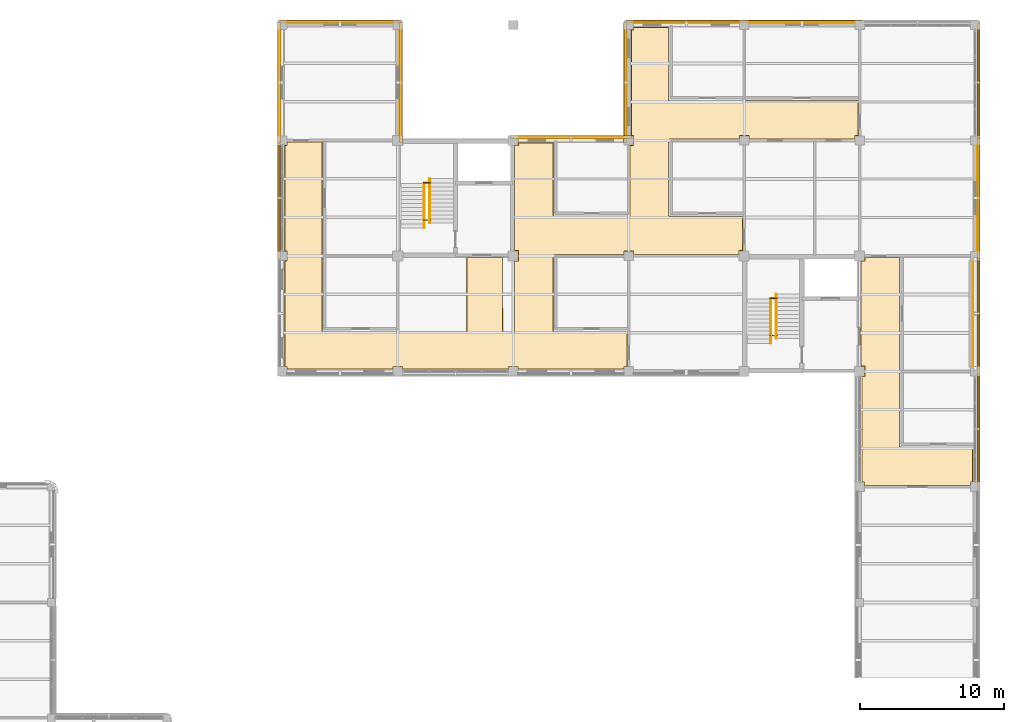
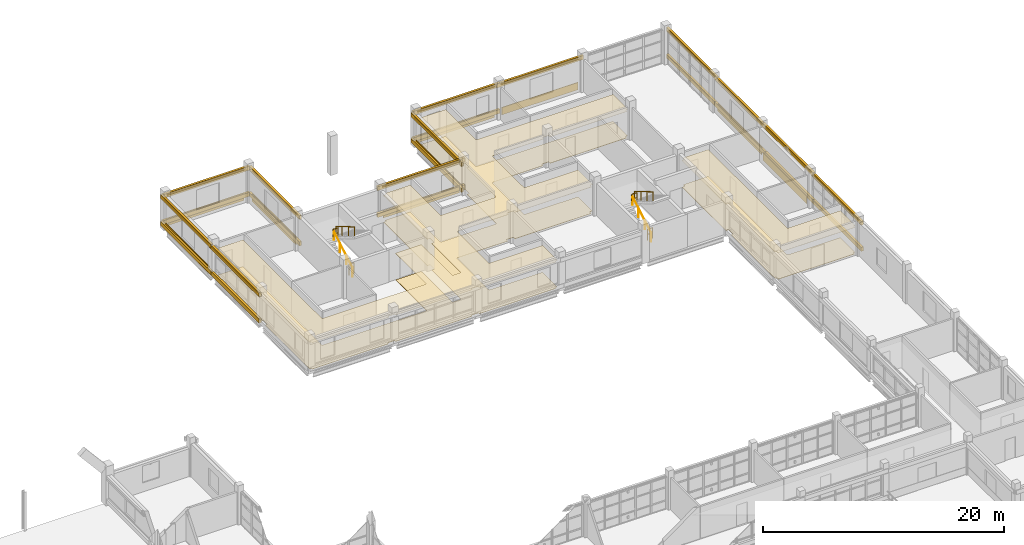
# One storey, part 90 of 92: 36 coverings, 12 shading devices, 8 railings.
"""IFC4 building model written with IfcOpenShell, lengths in metres."""

from ifc_helpers import new_model, si_unit, derived_unit, direction, frame, origin, origin_2d, place, context, subcontext, project, spatial, polyline, rectangle, circle, outline, extrude, material, layer, layer_set, material_profile, profile_set, type_object, element, save


model = new_model("IFC4")

# Units and contexts
model_context = context("Model", 3, precision=1e-05, world=origin(), true_north=direction((0.0, 1.0)))
body_context = subcontext(model_context, "Body", "Model", "MODEL_VIEW")
ifc_project = project(units=[si_unit("LENGTHUNIT", "METRE"), si_unit("AREAUNIT", "SQUARE_METRE"), si_unit("VOLUMEUNIT", "CUBIC_METRE"), si_unit("PLANEANGLEUNIT", "RADIAN"), si_unit("MASSUNIT", "GRAM", prefix="KILO"), derived_unit("THERMALTRANSMITTANCEUNIT", [(si_unit("MASSUNIT", "GRAM", prefix="KILO"), 1), (si_unit("TIMEUNIT", "SECOND"), -3), (si_unit("THERMODYNAMICTEMPERATUREUNIT", "KELVIN"), -1)])], contexts=[model_context])

# Site, building, storey
site_placement = place(None, origin())
site = spatial("IfcSite", under=ifc_project, at=site_placement, CompositionType="ELEMENT")
building_placement = place(site_placement, origin())
building = spatial("IfcBuilding", under=site, at=building_placement, Name="Veyamyaing Civic Hall", CompositionType="ELEMENT")
storey_placement = place(building_placement, frame((0.0, 0.0, 17.820068359375)))
storey = spatial("IfcBuildingStorey", under=building, at=storey_placement, Name="L04", CompositionType="ELEMENT", Elevation=17.820068359375)

# Coverings
ifc_material_1 = material(Name="Buff sandstone ashlar cladding", Category="masonry")
ifc_layer_1 = layer(ifc_material_1, 0.050048828125, Name="Buff sandstone ashlar cladding")
ifc_layer_set_1 = layer_set([ifc_layer_1], Name="Buff sandstone ashlar cladding")
covering_type_1 = type_object("IfcCoveringType", Name="CL-01", PredefinedType="CLADDING", material=ifc_layer_set_1)
for number, where, z_axis, x_axis, name in (
    (1, (132.0, 112.160888671875, 0.044921875), (0.0, 0.0, 1.0), (1.0, 0.0, 0.0), "Facade spandrel cladding CL-01 L04 N 17.14"),
    (2, (127.839111328125, 108.0, 0.044921875), (0.0, 0.0, 1.0), (0.0, 1.0, 0.0), "Facade spandrel cladding CL-01 L04 W 17.14"),
):
    element("IfcCovering", number, at=place(storey_placement, frame(where, z_axis=z_axis, x_axis=x_axis)), inside=storey, type_object=covering_type_1, Name=name, PredefinedType="CLADDING", context=body_context, shape_type="SweptSolid", body=[
        extrude(rectangle(XDim=7.300048828125, YDim=0.050048828125, at=origin_2d()), origin(), (0.0, 0.0, 1.0), 0.75),
    ])
covering_1_placement = place(storey_placement, frame((136.160888671875, 108.012451171875, 0.044921875), z_axis=(0.0, 0.0, 1.0), x_axis=(0.0, 1.0, 0.0)))
element("IfcCovering", 3, at=covering_1_placement, inside=storey, type_object=covering_type_1, Name="Facade spandrel cladding CL-01 L04 E 17.14", PredefinedType="CLADDING", context=body_context, shape_type="SweptSolid", body=[
    extrude(rectangle(XDim=7.27490234375, YDim=0.050048828125, at=origin_2d()), origin(), (0.0, 0.0, 1.0), 0.75),
])
for number, where, z_axis, x_axis, name in (
    (4, (164.0, 112.160888671875, 0.044921875), (0.0, 0.0, 1.0), (1.0, 0.0, 0.0), "Facade spandrel cladding CL-01 L04 N 21.14"),
    (5, (176.160888671875, 100.0, 0.044921875), (0.0, 0.0, 1.0), (0.0, 1.0, 0.0), "Facade spandrel cladding CL-01 L04 E 22.13"),
):
    element("IfcCovering", number, at=place(storey_placement, frame(where, z_axis=z_axis, x_axis=x_axis)), inside=storey, type_object=covering_type_1, Name=name, PredefinedType="CLADDING", context=body_context, shape_type="SweptSolid", body=[
        extrude(rectangle(XDim=7.300048828125, YDim=0.050048828125, at=origin_2d()), origin(), (0.0, 0.0, 1.0), 0.75),
    ])
ifc_material_2 = material(Name="Turquoise glazed ceramic tile cladding", Category="masonry")
ifc_layer_2 = layer(ifc_material_2, 0.034912109375, Name="Turquoise glazed ceramic tile cladding")
ifc_layer_set_2 = layer_set([ifc_layer_2], Name="Turquoise glazed ceramic tile cladding")
covering_type_2 = type_object("IfcCoveringType", Name="CL-02", PredefinedType="CLADDING", material=ifc_layer_set_2)
covering_2_placement = place(storey_placement, frame((148.012451171875, 104.153564453125, 0.044921875), z_axis=(0.0, 0.0, 1.0), x_axis=(1.0, 0.0, 0.0)))
element("IfcCovering", 6, at=covering_2_placement, inside=storey, type_object=covering_type_2, Name="Facade spandrel cladding CL-02 L04 N 19.13", PredefinedType="CLADDING", context=body_context, shape_type="SweptSolid", body=[
    extrude(rectangle(XDim=7.27490234375, YDim=0.034912109375, at=origin_2d()), origin(), (0.0, 0.0, 1.0), 0.75),
])
for number, where, z_axis, x_axis, name in (
    (7, (156.0, 112.153564453125, 0.044921875), (0.0, 0.0, 1.0), (1.0, 0.0, 0.0), "Facade spandrel cladding CL-02 L04 N 20.14"),
    (8, (151.846435546875, 108.0, 0.044921875), (0.0, 0.0, 1.0), (0.0, 1.0, 0.0), "Facade spandrel cladding CL-02 L04 W 20.14"),
    (9, (175.853515625, 92.0, 0.044921875), (0.0, 0.0, 1.0), (0.0, 1.0, 0.0), "Facade spandrel cladding CL-02 L04 E 22.12"),
):
    element("IfcCovering", number, at=place(storey_placement, frame(where, z_axis=z_axis, x_axis=x_axis)), inside=storey, type_object=covering_type_2, Name=name, PredefinedType="CLADDING", context=body_context, shape_type="SweptSolid", body=[
        extrude(rectangle(XDim=7.300048828125, YDim=0.034912109375, at=origin_2d()), origin(), (0.0, 0.0, 1.0), 0.75),
    ])
ifc_material_3 = material(Name="White powder-coated aluminium 6063-T6", Category="aluminium")
ifc_layer_3 = layer(ifc_material_3, 0.2099609375, Name="White powder-coated aluminium 6063-T6")
ifc_layer_set_3 = layer_set([ifc_layer_3], Name="White powder-coated aluminium 6063-T6")
covering_type_3 = type_object("IfcCoveringType", Name="CL-03", PredefinedType="CLADDING", material=ifc_layer_set_3)
for number, where, z_axis, x_axis, name in (
    (10, (127.760009765625, 100.0, 2.929931640625), (0.0, 0.0, 1.0), (0.0, 1.0, 0.0), "Continuous white head fascia ribbon CL-03 L04 W 17.13"),
    (11, (127.760009765625, 100.0, 0.280029296875), (0.0, 0.0, 1.0), (0.0, 1.0, 0.0), "Continuous white sill fascia ribbon CL-03 L04 W 17.13"),
    (12, (132.0, 112.239990234375, 2.93408203125), (0.0, 0.0, 1.0), (1.0, 0.0, 0.0), "Continuous white head fascia ribbon CL-03 L04 N 17.14"),
    (13, (132.0, 112.239990234375, 0.280029296875), (0.0, 0.0, 1.0), (1.0, 0.0, 0.0), "Continuous white sill fascia ribbon CL-03 L04 N 17.14"),
    (14, (127.760009765625, 108.0, 2.993896484375), (0.0, 0.0, 1.0), (0.0, 1.0, 0.0), "Continuous white head fascia ribbon CL-03 L04 W 17.14"),
    (15, (127.760009765625, 108.0, 0.280029296875), (0.0, 0.0, 1.0), (0.0, 1.0, 0.0), "Continuous white sill fascia ribbon CL-03 L04 W 17.14"),
    (16, (136.239990234375, 108.0, 2.93408203125), (0.0, 0.0, 1.0), (0.0, 1.0, 0.0), "Continuous white head fascia ribbon CL-03 L04 E 17.14"),
    (17, (136.239990234375, 108.0, 0.280029296875), (0.0, 0.0, 1.0), (0.0, 1.0, 0.0), "Continuous white sill fascia ribbon CL-03 L04 E 17.14"),
    (18, (148.0, 104.239990234375, 2.9970703125), (0.0, 0.0, 1.0), (1.0, 0.0, 0.0), "Continuous white head fascia ribbon CL-03 L04 N 19.13"),
    (19, (148.0, 104.239990234375, 0.280029296875), (0.0, 0.0, 1.0), (1.0, 0.0, 0.0), "Continuous white sill fascia ribbon CL-03 L04 N 19.13"),
    (20, (156.0, 112.239990234375, 2.968994140625), (0.0, 0.0, 1.0), (1.0, 0.0, 0.0), "Continuous white head fascia ribbon CL-03 L04 N 20.14"),
    (21, (156.0, 112.239990234375, 0.280029296875), (0.0, 0.0, 1.0), (1.0, 0.0, 0.0), "Continuous white sill fascia ribbon CL-03 L04 N 20.14"),
    (22, (151.760009765625, 108.0, 2.905029296875), (0.0, 0.0, 1.0), (0.0, 1.0, 0.0), "Continuous white head fascia ribbon CL-03 L04 W 20.14"),
    (23, (151.760009765625, 108.0, 0.280029296875), (0.0, 0.0, 1.0), (0.0, 1.0, 0.0), "Continuous white sill fascia ribbon CL-03 L04 W 20.14"),
    (24, (164.0, 112.239990234375, 2.93408203125), (0.0, 0.0, 1.0), (1.0, 0.0, 0.0), "Continuous white head fascia ribbon CL-03 L04 N 21.14"),
    (25, (176.239990234375, 84.0, 2.925048828125), (0.0, 0.0, 1.0), (0.0, 1.0, 0.0), "Continuous white head fascia ribbon CL-03 L04 E 22.11"),
    (26, (176.239990234375, 84.0, 0.280029296875), (0.0, 0.0, 1.0), (0.0, 1.0, 0.0), "Continuous white sill fascia ribbon CL-03 L04 E 22.11"),
    (27, (176.239990234375, 92.0, 2.993896484375), (0.0, 0.0, 1.0), (0.0, 1.0, 0.0), "Continuous white head fascia ribbon CL-03 L04 E 22.12"),
    (28, (176.239990234375, 92.0, 0.280029296875), (0.0, 0.0, 1.0), (0.0, 1.0, 0.0), "Continuous white sill fascia ribbon CL-03 L04 E 22.12"),
    (29, (176.239990234375, 100.0, 2.93408203125), (0.0, 0.0, 1.0), (0.0, 1.0, 0.0), "Continuous white head fascia ribbon CL-03 L04 E 22.13"),
    (30, (176.239990234375, 100.0, 0.280029296875), (0.0, 0.0, 1.0), (0.0, 1.0, 0.0), "Continuous white sill fascia ribbon CL-03 L04 E 22.13"),
    (31, (176.239990234375, 108.0, 2.9970703125), (0.0, 0.0, 1.0), (0.0, 1.0, 0.0), "Continuous white head fascia ribbon CL-03 L04 E 22.14"),
    (32, (176.239990234375, 108.0, 0.280029296875), (0.0, 0.0, 1.0), (0.0, 1.0, 0.0), "Continuous white sill fascia ribbon CL-03 L04 E 22.14"),
):
    element("IfcCovering", number, at=place(storey_placement, frame(where, z_axis=z_axis, x_axis=x_axis)), inside=storey, type_object=covering_type_3, Name=name, PredefinedType="CLADDING", context=body_context, shape_type="SweptSolid", body=[
        extrude(rectangle(XDim=8.360107421875, YDim=0.2099609375, at=origin_2d()), origin(), (0.0, 0.0, 1.0), 0.39990234375),
    ])
ifc_material_4 = material(Name="Perforated acoustic gypsum ceiling board")
ifc_layer_4 = layer(ifc_material_4, 0.02490234375, Name="Perforated acoustic gypsum ceiling board")
ifc_layer_set_4 = layer_set([ifc_layer_4], Name="Perforated acoustic gypsum ceiling board")
covering_type_4 = type_object("IfcCoveringType", Name="CLG-01", PredefinedType="CEILING", material=ifc_layer_set_4)
covering_3_placement = place(storey_placement, frame((0.0, 0.0, 2.699951171875)))
element("IfcCovering", 33, at=covering_3_placement, inside=storey, type_object=covering_type_4, Name="Acoustic suspended ceiling CLG-01 L04-C05", PredefinedType="CEILING", context=body_context, shape_type="SweptSolid", body=[
    extrude(outline(polyline([(130.775390625, 90.843994140625), (130.7841796875, 90.81494140625), (130.802734375, 90.79248046875), (130.8291015625, 90.7783203125), (130.851806640625, 90.77490234375), (140.697509765625, 90.77490234375), (140.729248046875, 90.78125), (140.747314453125, 90.792236328125), (140.76220703125, 90.80859375), (140.771484375, 90.828369140625), (140.77490234375, 90.851806640625), (140.77490234375, 95.925048828125), (143.27490234375, 95.925048828125), (143.27685546875, 90.8349609375), (143.283935546875, 90.8154296875), (143.30322265625, 90.7919921875), (143.3212890625, 90.781005859375), (143.34326171875, 90.775390625), (143.99755859375, 90.77490234375), (144.028564453125, 90.78125), (144.052734375, 90.79736328125), (144.06884765625, 90.821533203125), (144.074951171875, 90.8525390625), (144.074951171875, 95.6650390625), (144.3349609375, 95.6650390625), (144.3349609375, 96.3349609375), (144.074951171875, 96.3349609375), (144.074951171875, 103.6650390625), (144.3349609375, 103.6650390625), (144.3349609375, 103.844970703125), (146.77490234375, 103.844970703125), (146.77490234375, 98.851318359375), (146.776611328125, 98.8359375), (146.7841796875, 98.814208984375), (146.791748046875, 98.802978515625), (146.80859375, 98.787841796875), (146.828369140625, 98.778564453125), (146.851806640625, 98.77490234375), (151.99755859375, 98.77490234375), (152.028564453125, 98.78125), (152.052734375, 98.79736328125), (152.06884765625, 98.821533203125), (152.074951171875, 98.8525390625), (152.074951171875, 103.68994140625), (152.31005859375, 103.68994140625), (152.31005859375, 104.31005859375), (152.155029296875, 104.31005859375), (152.155029296875, 111.68994140625), (152.31005859375, 111.68994140625), (152.31005859375, 111.844970703125), (154.77490234375, 111.844970703125), (154.77490234375, 106.851806640625), (154.778564453125, 106.828369140625), (154.78759765625, 106.80908203125), (154.80908203125, 106.78759765625), (154.828369140625, 106.778564453125), (154.851806640625, 106.77490234375), (167.925048828125, 106.77490234375), (167.925048828125, 104.31005859375), (167.68994140625, 104.31005859375), (167.68994140625, 104.074951171875), (160.31005859375, 104.074951171875), (160.31005859375, 104.31005859375), (159.68994140625, 104.31005859375), (159.68994140625, 104.074951171875), (154.851806640625, 104.074951171875), (154.82763671875, 104.0712890625), (154.81591796875, 104.06640625), (154.79248046875, 104.047119140625), (154.7783203125, 104.02099609375), (154.77490234375, 103.998291015625), (154.77490234375, 98.851806640625), (154.778564453125, 98.828369140625), (154.787841796875, 98.80859375), (154.802978515625, 98.791748046875), (154.814697265625, 98.783935546875), (154.82763671875, 98.778564453125), (154.851806640625, 98.77490234375), (159.925048828125, 98.77490234375), (159.925048828125, 96.3349609375), (159.6650390625, 96.3349609375), (159.6650390625, 96.074951171875), (152.31005859375, 96.074951171875), (152.31005859375, 96.31005859375), (151.68994140625, 96.31005859375), (151.68994140625, 96.074951171875), (146.851806640625, 96.074951171875), (146.82763671875, 96.0712890625), (146.81591796875, 96.06640625), (146.79248046875, 96.047119140625), (146.7783203125, 96.02099609375), (146.77490234375, 95.998291015625), (146.77490234375, 90.851806640625), (146.778564453125, 90.828369140625), (146.787841796875, 90.80859375), (146.802978515625, 90.791748046875), (146.814697265625, 90.783935546875), (146.82763671875, 90.778564453125), (146.851806640625, 90.77490234375), (151.925048828125, 90.77490234375), (151.925048828125, 88.31005859375), (151.68994140625, 88.31005859375), (151.68994140625, 88.155029296875), (144.31005859375, 88.155029296875), (144.31005859375, 88.31005859375), (143.68994140625, 88.31005859375), (143.68994140625, 88.155029296875), (136.31005859375, 88.155029296875), (136.31005859375, 88.31005859375), (135.68994140625, 88.31005859375), (135.68994140625, 88.155029296875), (128.31005859375, 88.155029296875), (128.31005859375, 88.31005859375), (128.155029296875, 88.31005859375), (128.155029296875, 95.68994140625), (128.31005859375, 95.68994140625), (128.31005859375, 96.31005859375), (128.155029296875, 96.31005859375), (128.155029296875, 103.68994140625), (128.31005859375, 103.68994140625), (128.31005859375, 103.925048828125), (130.77490234375, 103.925048828125), (130.775390625, 90.843994140625)])), origin(), (0.0, 0.0, 1.0), 0.02490234375),
])
covering_4_placement = place(storey_placement, frame((0.0, 0.0, 2.699951171875)))
element("IfcCovering", 34, at=covering_4_placement, inside=storey, type_object=covering_type_4, Name="Acoustic suspended ceiling CLG-01 L04-C06", PredefinedType="CEILING", context=body_context, shape_type="SweptSolid", body=[
    extrude(outline(polyline([(170.77490234375, 82.8525390625), (170.78125, 82.821533203125), (170.79736328125, 82.79736328125), (170.821533203125, 82.78125), (170.8525390625, 82.77490234375), (175.844970703125, 82.77490234375), (175.844970703125, 80.31005859375), (175.68994140625, 80.31005859375), (175.68994140625, 80.074951171875), (168.31005859375, 80.074951171875), (168.31005859375, 80.31005859375), (168.155029296875, 80.31005859375), (168.155029296875, 87.6650390625), (168.3349609375, 87.6650390625), (168.3349609375, 88.3349609375), (168.074951171875, 88.3349609375), (168.074951171875, 95.6650390625), (168.3349609375, 95.6650390625), (168.3349609375, 95.925048828125), (170.77490234375, 95.925048828125), (170.77490234375, 82.8525390625)])), origin(), (0.0, 0.0, 1.0), 0.02490234375),
])
ifc_material_5 = material(Name="Polished Mandalay marble and terrazzo flooring", Category="masonry")
ifc_layer_5 = layer(ifc_material_5, 0.030029296875, Name="Polished Mandalay marble and terrazzo flooring")
ifc_layer_set_5 = layer_set([ifc_layer_5], Name="Polished Mandalay marble and terrazzo flooring")
covering_type_5 = type_object("IfcCoveringType", Name="FLR-01", PredefinedType="FLOORING", material=ifc_layer_set_5)
covering_5_placement = place(storey_placement, origin())
element("IfcCovering", 35, at=covering_5_placement, inside=storey, type_object=covering_type_5, Name="Stone and terrazzo flooring FLR-01 L04-C05", PredefinedType="FLOORING", context=body_context, shape_type="SweptSolid", body=[
    extrude(outline(polyline([(130.75048828125, 90.840087890625), (130.76171875, 90.802978515625), (130.78662109375, 90.772705078125), (130.821044921875, 90.75439453125), (130.85009765625, 90.75), (140.699951171875, 90.75), (140.73828125, 90.757568359375), (140.763427734375, 90.772705078125), (140.783203125, 90.79443359375), (140.795654296875, 90.821044921875), (140.800048828125, 90.85009765625), (140.800048828125, 95.89990234375), (143.25, 95.89990234375), (143.251953125, 90.83056640625), (143.26171875, 90.802978515625), (143.28662109375, 90.772705078125), (143.311767578125, 90.757568359375), (143.340087890625, 90.75048828125), (144.0, 90.75), (144.038330078125, 90.757568359375), (144.07080078125, 90.779296875), (144.09228515625, 90.811767578125), (144.10009765625, 90.85009765625), (144.10009765625, 95.639892578125), (144.360107421875, 95.639892578125), (144.360107421875, 96.360107421875), (144.10009765625, 96.360107421875), (144.10009765625, 103.639892578125), (144.360107421875, 103.639892578125), (144.360107421875, 103.820068359375), (146.75, 103.820068359375), (146.75, 98.85009765625), (146.751953125, 98.83056640625), (146.76171875, 98.802978515625), (146.772705078125, 98.78662109375), (146.79443359375, 98.766845703125), (146.821044921875, 98.75439453125), (146.85009765625, 98.75), (152.0, 98.75), (152.038330078125, 98.757568359375), (152.07080078125, 98.779296875), (152.09228515625, 98.811767578125), (152.10009765625, 98.85009765625), (152.10009765625, 103.6650390625), (152.3349609375, 103.6650390625), (152.3349609375, 104.3349609375), (152.179931640625, 104.3349609375), (152.179931640625, 111.6650390625), (152.3349609375, 111.6650390625), (152.3349609375, 111.820068359375), (154.75, 111.820068359375), (154.75, 106.85009765625), (154.75439453125, 106.821044921875), (154.766845703125, 106.79443359375), (154.79443359375, 106.766845703125), (154.821044921875, 106.75439453125), (154.85009765625, 106.75), (167.89990234375, 106.75), (167.89990234375, 104.3349609375), (167.6650390625, 104.3349609375), (167.6650390625, 104.10009765625), (160.3349609375, 104.10009765625), (160.3349609375, 104.3349609375), (159.6650390625, 104.3349609375), (159.6650390625, 104.10009765625), (154.85009765625, 104.10009765625), (154.821044921875, 104.095703125), (154.802978515625, 104.088134765625), (154.772705078125, 104.0634765625), (154.75439453125, 104.029052734375), (154.75, 104.0), (154.75, 98.85009765625), (154.75439453125, 98.821044921875), (154.766845703125, 98.79443359375), (154.78662109375, 98.772705078125), (154.802978515625, 98.76171875), (154.821044921875, 98.75439453125), (154.85009765625, 98.75), (159.89990234375, 98.75), (159.89990234375, 96.360107421875), (159.639892578125, 96.360107421875), (159.639892578125, 96.10009765625), (152.3349609375, 96.10009765625), (152.3349609375, 96.3349609375), (151.6650390625, 96.3349609375), (151.6650390625, 96.10009765625), (146.85009765625, 96.10009765625), (146.821044921875, 96.095703125), (146.802978515625, 96.088134765625), (146.772705078125, 96.0634765625), (146.75439453125, 96.029052734375), (146.75, 96.0), (146.75, 90.85009765625), (146.75439453125, 90.821044921875), (146.766845703125, 90.79443359375), (146.78662109375, 90.772705078125), (146.802978515625, 90.76171875), (146.821044921875, 90.75439453125), (146.85009765625, 90.75), (151.89990234375, 90.75), (151.89990234375, 88.3349609375), (151.6650390625, 88.3349609375), (151.6650390625, 88.179931640625), (144.3349609375, 88.179931640625), (144.3349609375, 88.3349609375), (143.6650390625, 88.3349609375), (143.6650390625, 88.179931640625), (136.3349609375, 88.179931640625), (136.3349609375, 88.3349609375), (135.6650390625, 88.3349609375), (135.6650390625, 88.179931640625), (128.3349609375, 88.179931640625), (128.3349609375, 88.3349609375), (128.179931640625, 88.3349609375), (128.179931640625, 95.6650390625), (128.3349609375, 95.6650390625), (128.3349609375, 96.3349609375), (128.179931640625, 96.3349609375), (128.179931640625, 103.6650390625), (128.3349609375, 103.6650390625), (128.3349609375, 103.89990234375), (130.75, 103.89990234375), (130.75048828125, 90.840087890625)])), origin(), (0.0, 0.0, 1.0), 0.030029296875),
])
covering_6_placement = place(storey_placement, origin())
element("IfcCovering", 36, at=covering_6_placement, inside=storey, type_object=covering_type_5, Name="Stone and terrazzo flooring FLR-01 L04-C06", PredefinedType="FLOORING", context=body_context, shape_type="SweptSolid", body=[
    extrude(outline(polyline([(170.75, 82.85009765625), (170.757568359375, 82.811767578125), (170.779296875, 82.779296875), (170.811767578125, 82.757568359375), (170.85009765625, 82.75), (175.820068359375, 82.75), (175.820068359375, 80.3349609375), (175.6650390625, 80.3349609375), (175.6650390625, 80.10009765625), (168.3349609375, 80.10009765625), (168.3349609375, 80.3349609375), (168.179931640625, 80.3349609375), (168.179931640625, 87.639892578125), (168.360107421875, 87.639892578125), (168.360107421875, 88.360107421875), (168.10009765625, 88.360107421875), (168.10009765625, 95.639892578125), (168.360107421875, 95.639892578125), (168.360107421875, 95.89990234375), (170.75, 95.89990234375), (170.75, 82.85009765625)])), origin(), (0.0, 0.0, 1.0), 0.030029296875),
])

# Railings
ifc_material_6 = material(Name="Steel S355J2", Category="steel")
railing_type_1 = type_object("IfcRailingType", Name="RL-01", PredefinedType="BALUSTRADE", material=ifc_material_6)
railing_1_placement = place(storey_placement, frame((161.780029296875, 93.070068359375, 1.97998046875)))
element("IfcRailing", 37, at=railing_1_placement, inside=storey, type_object=railing_type_1, Name="Half-landing slot guard RL-01 ST-03 L04", PredefinedType="BALUSTRADE", context=body_context, shape_type="SweptSolid", body=[
    extrude(circle(Radius=0.02392578125, at=origin_2d()), frame((0.0, 0.0, 1.076171875), z_axis=(1.0, 0.0, 0.0), x_axis=(0.0, 1.0, 0.0)), (0.0, 0.0, 1.0), 0.489990234375),
    extrude(circle(Radius=0.01416015625, at=origin_2d()), frame((0.0, 0.0, 0.572021484375), z_axis=(1.0, 0.0, 0.0), x_axis=(0.0, 1.0, 0.0)), (0.0, 0.0, 1.0), 0.489990234375),
    extrude(circle(Radius=0.02099609375, at=origin_2d()), origin(), (0.0, 0.0, 1.0), 1.052001953125),
    extrude(circle(Radius=0.02099609375, at=origin_2d()), frame((0.489990234375, 0.0, 0.0)), (0.0, 0.0, 1.0), 1.052001953125),
])
railing_2_placement = place(storey_placement, frame((161.800048828125, 90.47998046875, 0.0)))
element("IfcRailing", 38, at=railing_2_placement, inside=storey, type_object=railing_type_1, Name="Floor-landing slot guard RL-01 ST-03 L04", PredefinedType="BALUSTRADE", context=body_context, shape_type="SweptSolid", body=[
    extrude(circle(Radius=0.02392578125, at=origin_2d()), frame((0.0, 0.0, 1.076171875), z_axis=(1.0, 0.0, 0.0), x_axis=(0.0, 1.0, 0.0)), (0.0, 0.0, 1.0), 0.469970703125),
    extrude(circle(Radius=0.01416015625, at=origin_2d()), frame((0.0, 0.0, 0.572021484375), z_axis=(1.0, 0.0, 0.0), x_axis=(0.0, 1.0, 0.0)), (0.0, 0.0, 1.0), 0.469970703125),
    extrude(circle(Radius=0.02099609375, at=origin_2d()), origin(), (0.0, 0.0, 1.0), 1.052001953125),
    extrude(circle(Radius=0.02099609375, at=origin_2d()), frame((0.469970703125, 0.0, 0.0)), (0.0, 0.0, 1.0), 1.052001953125),
])
railing_3_placement = place(storey_placement, frame((137.780029296875, 101.070068359375, 1.97998046875)))
element("IfcRailing", 39, at=railing_3_placement, inside=storey, type_object=railing_type_1, Name="Half-landing slot guard RL-01 ST-04 L04", PredefinedType="BALUSTRADE", context=body_context, shape_type="SweptSolid", body=[
    extrude(circle(Radius=0.02392578125, at=origin_2d()), frame((0.0, 0.0, 1.076171875), z_axis=(1.0, 0.0, 0.0), x_axis=(0.0, 1.0, 0.0)), (0.0, 0.0, 1.0), 0.489990234375),
    extrude(circle(Radius=0.01416015625, at=origin_2d()), frame((0.0, 0.0, 0.572021484375), z_axis=(1.0, 0.0, 0.0), x_axis=(0.0, 1.0, 0.0)), (0.0, 0.0, 1.0), 0.489990234375),
    extrude(circle(Radius=0.02099609375, at=origin_2d()), origin(), (0.0, 0.0, 1.0), 1.052001953125),
    extrude(circle(Radius=0.02099609375, at=origin_2d()), frame((0.489990234375, 0.0, 0.0)), (0.0, 0.0, 1.0), 1.052001953125),
])
railing_4_placement = place(storey_placement, frame((137.800048828125, 98.47998046875, 0.0)))
element("IfcRailing", 40, at=railing_4_placement, inside=storey, type_object=railing_type_1, Name="Floor-landing slot guard RL-01 ST-04 L04", PredefinedType="BALUSTRADE", context=body_context, shape_type="SweptSolid", body=[
    extrude(circle(Radius=0.02392578125, at=origin_2d()), frame((0.0, 0.0, 1.076171875), z_axis=(1.0, 0.0, 0.0), x_axis=(0.0, 1.0, 0.0)), (0.0, 0.0, 1.0), 0.469970703125),
    extrude(circle(Radius=0.01416015625, at=origin_2d()), frame((0.0, 0.0, 0.572021484375), z_axis=(1.0, 0.0, 0.0), x_axis=(0.0, 1.0, 0.0)), (0.0, 0.0, 1.0), 0.469970703125),
    extrude(circle(Radius=0.02099609375, at=origin_2d()), origin(), (0.0, 0.0, 1.0), 1.052001953125),
    extrude(circle(Radius=0.02099609375, at=origin_2d()), frame((0.469970703125, 0.0, 0.0)), (0.0, 0.0, 1.0), 1.052001953125),
])
railing_type_2 = type_object("IfcRailingType", Name="RL-02", PredefinedType="HANDRAIL", material=ifc_material_6)
railing_5_placement = place(storey_placement, frame((161.840087890625, 89.949951171875, 0.1650390625)))
element("IfcRailing", 41, at=railing_5_placement, inside=storey, type_object=railing_type_2, Name="Stair pitch handrail RL-02 ST-03 L04.1", PredefinedType="HANDRAIL", context=body_context, shape_type="SweptSolid", body=[
    extrude(circle(Radius=0.02392578125, at=origin_2d()), frame((0.0, 0.0, 0.89599609375), z_axis=(0.0, 0.861551262678, 0.507670583921), x_axis=(-1.0, 0.0, 0.0)), (0.0, 0.0, 1.0), 3.574951171875),
    extrude(circle(Radius=0.02099609375, at=origin_2d()), origin(), (0.0, 0.0, 1.0), 0.871826171875),
    extrude(circle(Radius=0.02099609375, at=origin_2d()), frame((0.0, 1.026611328125, 0.60498046875)), (0.0, 0.0, 1.0), 0.871826171875),
    extrude(circle(Radius=0.02099609375, at=origin_2d()), frame((0.0, 2.053466796875, 1.2099609375)), (0.0, 0.0, 1.0), 0.871826171875),
    extrude(circle(Radius=0.02099609375, at=origin_2d()), frame((0.0, 3.080078125, 1.81494140625)), (0.0, 0.0, 1.0), 0.871826171875),
])
railing_6_placement = place(storey_placement, frame((162.219970703125, 93.35009765625, 2.14501953125)))
element("IfcRailing", 42, at=railing_6_placement, inside=storey, type_object=railing_type_2, Name="Stair pitch handrail RL-02 ST-03 L04.2", PredefinedType="HANDRAIL", context=body_context, shape_type="SweptSolid", body=[
    extrude(circle(Radius=0.02392578125, at=origin_2d()), frame((0.0, 0.0, 0.89599609375), z_axis=(0.0, -0.861551262678, 0.507670583921), x_axis=(1.0, 0.0, 0.0)), (0.0, 0.0, 1.0), 3.574951171875),
    extrude(circle(Radius=0.02099609375, at=origin_2d()), origin(), (0.0, 0.0, 1.0), 0.871826171875),
    extrude(circle(Radius=0.02099609375, at=origin_2d()), frame((0.0, -1.026611328125, 0.60498046875)), (0.0, 0.0, 1.0), 0.871826171875),
    extrude(circle(Radius=0.02099609375, at=origin_2d()), frame((0.0, -2.053466796875, 1.2099609375)), (0.0, 0.0, 1.0), 0.871826171875),
    extrude(circle(Radius=0.02099609375, at=origin_2d()), frame((0.0, -3.080078125, 1.81494140625)), (0.0, 0.0, 1.0), 0.871826171875),
])
railing_7_placement = place(storey_placement, frame((137.840087890625, 97.949951171875, 0.1650390625)))
element("IfcRailing", 43, at=railing_7_placement, inside=storey, type_object=railing_type_2, Name="Stair pitch handrail RL-02 ST-04 L04.1", PredefinedType="HANDRAIL", context=body_context, shape_type="SweptSolid", body=[
    extrude(circle(Radius=0.02392578125, at=origin_2d()), frame((0.0, 0.0, 0.89599609375), z_axis=(0.0, 0.861551262678, 0.507670583921), x_axis=(-1.0, 0.0, 0.0)), (0.0, 0.0, 1.0), 3.574951171875),
    extrude(circle(Radius=0.02099609375, at=origin_2d()), origin(), (0.0, 0.0, 1.0), 0.871826171875),
    extrude(circle(Radius=0.02099609375, at=origin_2d()), frame((0.0, 1.026611328125, 0.60498046875)), (0.0, 0.0, 1.0), 0.871826171875),
    extrude(circle(Radius=0.02099609375, at=origin_2d()), frame((0.0, 2.053466796875, 1.2099609375)), (0.0, 0.0, 1.0), 0.871826171875),
    extrude(circle(Radius=0.02099609375, at=origin_2d()), frame((0.0, 3.080078125, 1.81494140625)), (0.0, 0.0, 1.0), 0.871826171875),
])
railing_8_placement = place(storey_placement, frame((138.219970703125, 101.35009765625, 2.14501953125)))
element("IfcRailing", 44, at=railing_8_placement, inside=storey, type_object=railing_type_2, Name="Stair pitch handrail RL-02 ST-04 L04.2", PredefinedType="HANDRAIL", context=body_context, shape_type="SweptSolid", body=[
    extrude(circle(Radius=0.02392578125, at=origin_2d()), frame((0.0, 0.0, 0.89599609375), z_axis=(0.0, -0.861551262678, 0.507670583921), x_axis=(1.0, 0.0, 0.0)), (0.0, 0.0, 1.0), 3.574951171875),
    extrude(circle(Radius=0.02099609375, at=origin_2d()), origin(), (0.0, 0.0, 1.0), 0.871826171875),
    extrude(circle(Radius=0.02099609375, at=origin_2d()), frame((0.0, -1.026611328125, 0.60498046875)), (0.0, 0.0, 1.0), 0.871826171875),
    extrude(circle(Radius=0.02099609375, at=origin_2d()), frame((0.0, -2.053466796875, 1.2099609375)), (0.0, 0.0, 1.0), 0.871826171875),
    extrude(circle(Radius=0.02099609375, at=origin_2d()), frame((0.0, -3.080078125, 1.81494140625)), (0.0, 0.0, 1.0), 0.871826171875),
])

# Shading devices
ifc_material_profile = material_profile(ifc_material_3, circle(Radius=0.090087890625, at=origin_2d()), Name="SHADE-TUBE-180")
ifc_profile_set = profile_set([ifc_material_profile], Name="White powder-coated aluminium 6063-T6")
shading_device_type = type_object("IfcShadingDeviceType", Name="SH-02", PredefinedType="USERDEFINED", material=ifc_profile_set)
for number, where, z_axis, x_axis, name in (
    (45, (127.760009765625, 96.31005859375, 3.08984375), (0.0, 1.0, 0.0), (-1.0, 0.0, 0.0), "Horizontal white sunshade ribbon SH-02 L04 W 17.13"),
    (46, (128.31005859375, 112.239990234375, 3.093994140625), (1.0, 0.0, 0.0), (0.0, 1.0, 0.0), "Horizontal white sunshade ribbon SH-02 L04 N 17.14"),
    (47, (127.760009765625, 104.31005859375, 3.154052734375), (0.0, 1.0, 0.0), (-1.0, 0.0, 0.0), "Horizontal white sunshade ribbon SH-02 L04 W 17.14"),
):
    element("IfcShadingDevice", number, at=place(storey_placement, frame(where, z_axis=z_axis, x_axis=x_axis)), inside=storey, type_object=shading_device_type, Name=name, ObjectType="SUNSHADE", PredefinedType="USERDEFINED", context=body_context, shape_type="SweptSolid", body=[
        extrude(circle(Radius=0.090087890625, at=origin_2d()), origin(), (0.0, 0.0, 1.0), 7.3798828125),
    ])
for number, where, z_axis, x_axis, name in (
    (48, (136.239990234375, 104.3349609375, 3.093994140625), (0.0, 1.0, 0.0), (-1.0, 0.0, 0.0), "Horizontal white sunshade ribbon SH-02 L04 E 17.14"),
    (49, (144.3349609375, 104.239990234375, 3.156982421875), (1.0, 0.0, 0.0), (0.0, 1.0, 0.0), "Horizontal white sunshade ribbon SH-02 L04 N 19.13"),
):
    element("IfcShadingDevice", number, at=place(storey_placement, frame(where, z_axis=z_axis, x_axis=x_axis)), inside=storey, type_object=shading_device_type, Name=name, ObjectType="SUNSHADE", PredefinedType="USERDEFINED", context=body_context, shape_type="SweptSolid", body=[
        extrude(circle(Radius=0.090087890625, at=origin_2d()), origin(), (0.0, 0.0, 1.0), 7.35498046875),
    ])
for number, where, z_axis, x_axis, name in (
    (50, (152.31005859375, 112.239990234375, 3.12890625), (1.0, 0.0, 0.0), (0.0, 1.0, 0.0), "Horizontal white sunshade ribbon SH-02 L04 N 20.14"),
    (51, (151.760009765625, 104.31005859375, 3.06494140625), (0.0, 1.0, 0.0), (-1.0, 0.0, 0.0), "Horizontal white sunshade ribbon SH-02 L04 W 20.14"),
    (52, (160.31005859375, 112.239990234375, 3.093994140625), (1.0, 0.0, 0.0), (0.0, 1.0, 0.0), "Horizontal white sunshade ribbon SH-02 L04 N 21.14"),
    (53, (176.239990234375, 80.31005859375, 3.0849609375), (0.0, 1.0, 0.0), (-1.0, 0.0, 0.0), "Horizontal white sunshade ribbon SH-02 L04 E 22.11"),
    (54, (176.239990234375, 88.31005859375, 3.154052734375), (0.0, 1.0, 0.0), (-1.0, 0.0, 0.0), "Horizontal white sunshade ribbon SH-02 L04 E 22.12"),
    (55, (176.239990234375, 96.31005859375, 3.093994140625), (0.0, 1.0, 0.0), (-1.0, 0.0, 0.0), "Horizontal white sunshade ribbon SH-02 L04 E 22.13"),
    (56, (176.239990234375, 104.31005859375, 3.156982421875), (0.0, 1.0, 0.0), (-1.0, 0.0, 0.0), "Horizontal white sunshade ribbon SH-02 L04 E 22.14"),
):
    element("IfcShadingDevice", number, at=place(storey_placement, frame(where, z_axis=z_axis, x_axis=x_axis)), inside=storey, type_object=shading_device_type, Name=name, ObjectType="SUNSHADE", PredefinedType="USERDEFINED", context=body_context, shape_type="SweptSolid", body=[
        extrude(circle(Radius=0.090087890625, at=origin_2d()), origin(), (0.0, 0.0, 1.0), 7.3798828125),
    ])

save(model, "model.ifc")
